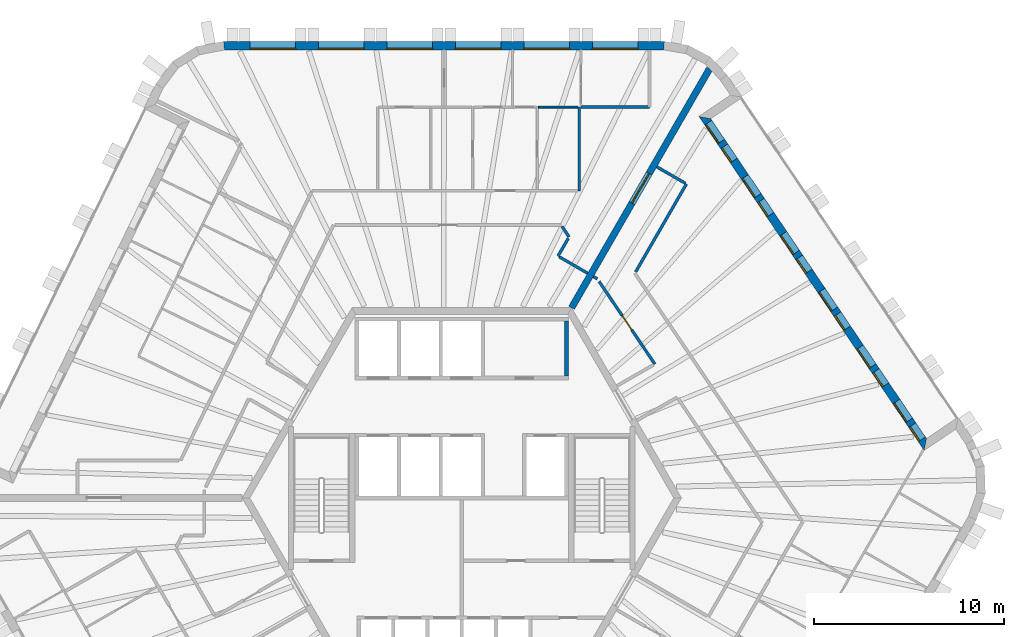
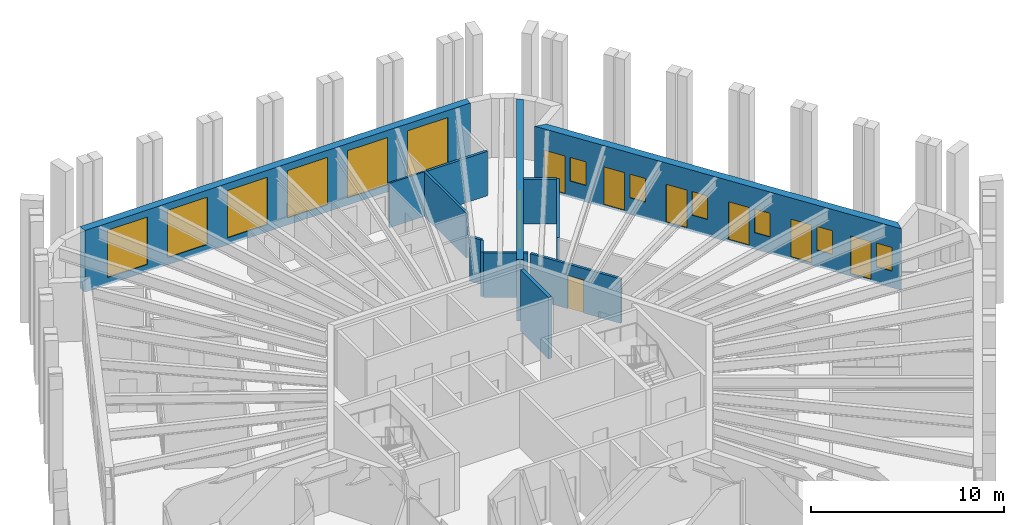
# One storey, part 9 of 12: 14 walls, 12 windows, 8 doors, 20 openings.
"""IFC4 building model written with IfcOpenShell, lengths in metres."""

from ifc_helpers import new_model, si_unit, direction, frame, frame_2d, origin, place, context, subcontext, project, spatial, polyline, rectangle, outline, extrude, material, layer, layer_set, type_object, element, fill, save


model = new_model("IFC4")

# Units and contexts
model_context = context("Model", 3, precision=1e-05, world=origin(), true_north=direction((0.0, 1.0)))
body_context = subcontext(model_context, "Body", "Model", "MODEL_VIEW")
ifc_project = project(units=[si_unit("LENGTHUNIT", "METRE"), si_unit("AREAUNIT", "SQUARE_METRE"), si_unit("VOLUMEUNIT", "CUBIC_METRE"), si_unit("PLANEANGLEUNIT", "RADIAN"), si_unit("MASSUNIT", "GRAM", prefix="KILO")], contexts=[model_context])

# Site, building, storey
site_placement = place(None, origin())
site = spatial("IfcSite", under=ifc_project, at=site_placement, CompositionType="ELEMENT")
building_placement = place(site_placement, origin())
building = spatial("IfcBuilding", under=site, at=building_placement, Name="Tarnside Tower", CompositionType="ELEMENT")
storey_placement = place(building_placement, frame((0.0, 0.0, 361.199951171875)))
storey = spatial("IfcBuildingStorey", under=building, at=storey_placement, Name="L87", CompositionType="ELEMENT", Elevation=361.199951171875)

# Wall
ifc_material_1 = material(Name="Gypsum board partition on steel studs", Category="steel")
ifc_layer_1 = layer(ifc_material_1, 0.10009765625)
ifc_layer_set_1 = layer_set([ifc_layer_1], Name="Bathroom wall 100")
wall_type_1 = type_object("IfcWallType", Name="Bathroom wall 100", PredefinedType="PARTITIONING", material=ifc_layer_set_1)
wall_1_placement = place(storey_placement, frame((6.1015625, 20.550048828125, 0.0), z_axis=(0.0, 0.0, 1.0), x_axis=(-1.0, 0.0, 0.0)))
element("IfcWall", 1, at=wall_1_placement, inside=storey, type_object=wall_type_1, Name="Bathroom wall 28083", PredefinedType="PARTITIONING", context=body_context, shape_type="SweptSolid", body=[
    extrude(rectangle(XDim=2.078857421875, YDim=0.10009765625, at=frame_2d((1.03955078125, 0.0))), origin(), (0.0, 0.0, 1.0), 2.820068359375),
])

# Wall, opening, door
ifc_material_2 = material(Name="Concrete C50/60", Category="concrete")
ifc_layer_2 = layer(ifc_material_2, 0.35009765625)
ifc_layer_set_2 = layer_set([ifc_layer_2], Name="Core wall Z4 350 C50/60")
wall_type_2 = type_object("IfcWallType", Name="Core wall Z4 350 C50/60", PredefinedType="SHEAR", material=ifc_layer_set_2)
wall_2_placement = place(storey_placement, frame((5.7734375, 10.0, -0.14990234375), z_axis=(0.0, 0.0, 1.0), x_axis=(0.500007911273, 0.866020836161, 0.0)))
wall_2 = element("IfcWall", 2, at=wall_2_placement, inside=storey, type_object=wall_type_2, Name="L87 spine wall 1", PredefinedType="SHEAR", context=body_context, shape_type="SweptSolid", body=[
    extrude(rectangle(XDim=14.510498046875, YDim=0.35009765625, at=frame_2d((7.25537109375, 0.0))), origin(), (0.0, 0.0, 1.0), 3.89990234375),
])
opening_1_placement = place(wall_2_placement, frame((6.355224609375, 0.0, 0.14990234375)))
opening_1 = element("IfcOpeningElement", 3, at=opening_1_placement, cuts=wall_2, Name="Opening CD-SPN", PredefinedType="OPENING", context=body_context, shape_type="SweptSolid", body=[
    extrude(rectangle(XDim=1.800048828125, YDim=2.39990234375, at=frame_2d((0.89990234375, 1.199951171875))), frame((0.0, 0.18505859375, 0.0), z_axis=(0.0, -1.0, 0.0), x_axis=(1.0, 0.0, 0.0)), (0.0, 0.0, 1.0), 0.3701171875),
])
ifc_material_3 = material(Name="Steel fire door", Category="steel")
door_type_1 = type_object("IfcDoorType", Name="Spine passage double door FD60 1800x2400", OperationType="NOTDEFINED", PredefinedType="DOOR", material=ifc_material_3)
door_1_placement = place(opening_1_placement, origin())
door_1 = element("IfcDoor", 4, at=door_1_placement, inside=storey, type_object=door_type_1, Name="L87 spine passage door 1", OperationType="DOUBLE_DOOR_SINGLE_SWING", OverallHeight=2.39990234375, OverallWidth=1.800048828125, PredefinedType="DOOR", context=body_context, shape_type="SweptSolid", body=[
    extrude(rectangle(XDim=1.800048828125, YDim=2.39990234375, at=frame_2d((0.89990234375, 1.199951171875))), frame((0.0, 0.02490234375, 0.0), z_axis=(0.0, -1.0, 0.0), x_axis=(1.0, 0.0, 0.0)), (0.0, 0.0, 1.0), 0.050048828125),
])
fill(opening_1, door_1)

# Walls
ifc_layer_3 = layer(ifc_material_1, 0.14990234375)
ifc_layer_set_3 = layer_set([ifc_layer_3], Name="Corridor wall 150 EI 60")
wall_type_3 = type_object("IfcWallType", Name="Corridor wall 150 EI 60", PredefinedType="PARTITIONING", material=ifc_layer_set_3)
wall_3_placement = place(storey_placement, frame((6.174560546875, 20.550048828125, 0.0), z_axis=(0.0, 0.0, 1.0), x_axis=(0.0, -1.0, 0.0)))
element("IfcWall", 5, at=wall_3_placement, inside=storey, type_object=wall_type_3, Name="Corridor wall 28004", PredefinedType="PARTITIONING", context=body_context, shape_type="SweptSolid", body=[
    extrude(rectangle(XDim=4.400146484375, YDim=0.14990234375, at=frame_2d((2.2001953125, 0.0))), origin(), (0.0, 0.0, 1.0), 2.820068359375),
])
wall_4_placement = place(storey_placement, frame((9.8671875, 20.550048828125, 0.0), z_axis=(0.0, 0.0, 1.0), x_axis=(-1.0, 0.0, 0.0)))
element("IfcWall", 6, at=wall_4_placement, inside=storey, type_object=wall_type_3, Name="Corridor wall 28006", PredefinedType="PARTITIONING", context=body_context, shape_type="SweptSolid", body=[
    extrude(rectangle(XDim=3.598876953125, YDim=0.14990234375, at=frame_2d((1.79931640625, 0.0))), origin(), (0.0, 0.0, 1.0), 2.820068359375),
])
wall_5_placement = place(storey_placement, frame((5.26806640625, 14.27490234375, 0.0), z_axis=(0.0, 0.0, 1.0), x_axis=(0.559416337009, -0.828886820915, 0.0)))
element("IfcWall", 7, at=wall_5_placement, inside=storey, type_object=wall_type_3, Name="Corridor wall 28023", PredefinedType="PARTITIONING", context=body_context, shape_type="SweptSolid", body=[
    extrude(rectangle(XDim=0.667724609375, YDim=0.14990234375, at=frame_2d((0.333984375, 0.0))), origin(), (0.0, 0.0, 1.0), 2.820068359375),
])
wall_6_placement = place(storey_placement, frame((5.599853515625, 13.649169921875, 0.0), z_axis=(0.0, 0.0, 1.0), x_axis=(-0.500126914667, -0.865952117167, 0.0)))
element("IfcWall", 8, at=wall_6_placement, inside=storey, type_object=wall_type_3, Name="Corridor wall 28024", PredefinedType="PARTITIONING", context=body_context, shape_type="SweptSolid", body=[
    extrude(rectangle(XDim=1.079833984375, YDim=0.14990234375, at=frame_2d((0.5400390625, 0.0))), origin(), (0.0, 0.0, 1.0), 2.820068359375),
])
wall_7_placement = place(storey_placement, frame((5.124755859375, 12.676513671875, 0.0), z_axis=(0.0, 0.0, 1.0), x_axis=(0.866013532718, -0.500020560727, 0.0)))
element("IfcWall", 9, at=wall_7_placement, inside=storey, type_object=wall_type_3, Name="Corridor wall 28025", PredefinedType="PARTITIONING", context=body_context, shape_type="SweptSolid", body=[
    extrude(rectangle(XDim=1.72509765625, YDim=0.14990234375, at=frame_2d((0.862548828125, 0.0))), origin(), (0.0, 0.0, 1.0), 2.820068359375),
])
wall_8_placement = place(storey_placement, frame((9.14208984375, 11.884765625, 0.0), z_axis=(0.0, 0.0, 1.0), x_axis=(0.500004822225, 0.866022619654, 0.0)))
element("IfcWall", 10, at=wall_8_placement, inside=storey, type_object=wall_type_3, Name="Corridor wall 28055", PredefinedType="PARTITIONING", context=body_context, shape_type="SweptSolid", body=[
    extrude(rectangle(XDim=5.3388671875, YDim=0.14990234375, at=frame_2d((2.66943359375, 0.0))), origin(), (0.0, 0.0, 1.0), 2.820068359375),
])
wall_9_placement = place(storey_placement, frame((11.74658203125, 16.545654296875, 0.0), z_axis=(0.0, 0.0, 1.0), x_axis=(-0.866013532718, 0.500020560727, 0.0)))
element("IfcWall", 11, at=wall_9_placement, inside=storey, type_object=wall_type_3, Name="Corridor wall 28056", PredefinedType="PARTITIONING", context=body_context, shape_type="SweptSolid", body=[
    extrude(rectangle(XDim=1.72509765625, YDim=0.14990234375, at=frame_2d((0.862548828125, 0.0))), origin(), (0.0, 0.0, 1.0), 2.820068359375),
])
wall_10_placement = place(storey_placement, frame((6.921875, 11.638916015625, 0.0), z_axis=(0.0, 0.0, 1.0), x_axis=(0.866254745882, -0.499602557277, 0.0)))
element("IfcWall", 12, at=wall_10_placement, inside=storey, type_object=wall_type_3, Name="Corridor wall 28068", PredefinedType="PARTITIONING", context=body_context, shape_type="SweptSolid", body=[
    extrude(rectangle(XDim=0.235107421875, YDim=0.14990234375, at=frame_2d((0.11767578125, 0.0))), origin(), (0.0, 0.0, 1.0), 2.820068359375),
])

# Wall, opening, door
wall_11_placement = place(storey_placement, frame((7.22119140625, 11.379638671875, 0.0), z_axis=(0.0, 0.0, 1.0), x_axis=(0.559200548931, -0.829032415576, 0.0)))
wall_11 = element("IfcWall", 13, at=wall_11_placement, inside=storey, type_object=wall_type_3, Name="Corridor wall 28069", PredefinedType="PARTITIONING", context=body_context, shape_type="SweptSolid", body=[
    extrude(rectangle(XDim=5.236083984375, YDim=0.14990234375, at=frame_2d((2.6181640625, 0.0))), origin(), (0.0, 0.0, 1.0), 2.820068359375),
])
opening_2_placement = place(wall_11_placement, frame((2.16796875, 0.0, 0.0)))
opening_2 = element("IfcOpeningElement", 14, at=opening_2_placement, cuts=wall_11, Name="Opening D-S1", PredefinedType="OPENING", context=body_context, shape_type="SweptSolid", body=[
    extrude(rectangle(XDim=0.89990234375, YDim=2.10009765625, at=frame_2d((0.449951171875, 1.050048828125))), frame((0.0, 0.0849609375, 0.0), z_axis=(0.0, -1.0, 0.0), x_axis=(1.0, 0.0, 0.0)), (0.0, 0.0, 1.0), 0.169921875),
])
ifc_material_4 = material(Name="Timber door leaf", Category="wood")
door_type_2 = type_object("IfcDoorType", Name="Service room door 900 FD30S", OperationType="NOTDEFINED", PredefinedType="DOOR", material=ifc_material_4)
door_2_placement = place(opening_2_placement, origin())
door_2 = element("IfcDoor", 15, at=door_2_placement, inside=storey, type_object=door_type_2, Name="Service door 28069", OperationType="SINGLE_SWING_RIGHT", OverallHeight=2.10009765625, OverallWidth=0.89990234375, PredefinedType="DOOR", context=body_context, shape_type="SweptSolid", body=[
    extrude(rectangle(XDim=0.89990234375, YDim=2.10009765625, at=frame_2d((0.449951171875, 1.050048828125))), frame((0.0, 0.02490234375, 0.0), z_axis=(0.0, -1.0, 0.0), x_axis=(1.0, 0.0, 0.0)), (0.0, 0.0, 1.0), 0.050048828125),
])
fill(opening_2, door_2)

# Wall
ifc_material_5 = material(Name="Concrete C40/50", Category="concrete")
ifc_layer_4 = layer(ifc_material_5, 0.199951171875)
ifc_layer_set_4 = layer_set([ifc_layer_4], Name="Lift shaft wall 200 C40/50")
wall_type_4 = type_object("IfcWallType", Name="Lift shaft wall 200 C40/50", PredefinedType="SHEAR", material=ifc_layer_set_4)
wall_12_placement = place(storey_placement, frame((5.5, 6.39990234375, -0.25), z_axis=(0.0, 0.0, 1.0), x_axis=(0.0, 1.0, 0.0)))
element("IfcWall", 16, at=wall_12_placement, inside=storey, type_object=wall_type_4, Name="L87 lift shaft partition R16", PredefinedType="SHEAR", context=body_context, shape_type="SweptSolid", body=[
    extrude(rectangle(XDim=2.900146484375, YDim=0.199951171875, at=frame_2d((1.4501953125, 0.0))), origin(), (0.0, 0.0, 1.0), 3.900146484375),
])

# Wall, openings, doors, windows
ifc_material_6 = material(Name="Dark zinc cladding")
ifc_layer_5 = layer(ifc_material_6, 0.10205078125)
ifc_material_7 = material(Name="Concrete C60/75 precast", Category="concrete")
ifc_layer_6 = layer(ifc_material_7, 0.248046875)
ifc_material_8 = material(Name="Mineral wool insulation")
ifc_layer_7 = layer(ifc_material_8, 0.10009765625)
ifc_layer_set_5 = layer_set([ifc_layer_5, ifc_layer_6, ifc_layer_7], Name="Loggia wall 450 zinc faced")
wall_type_5 = type_object("IfcWallType", Name="Loggia wall 450 zinc faced", PredefinedType="SOLIDWALL", material=ifc_layer_set_5)
wall_13_placement = place(storey_placement, frame((24.36962890625, 2.810546875, -0.14990234375), z_axis=(0.0, 0.0, 1.0), x_axis=(-0.559187034749, 0.829041531027, 0.0)))
wall_13 = element("IfcWall", 17, at=wall_13_placement, inside=storey, type_object=wall_type_5, Name="Tube wall L87 F6 back 30", PredefinedType="SOLIDWALL", context=body_context, shape_type="SweptSolid", body=[
    extrude(outline(polyline([(0.224853515625, -0.22509765625), (20.50634765625, -0.22509765625), (20.95654296875, 0.22509765625), (-0.224853515625, 0.22509765625), (0.224853515625, -0.22509765625)])), origin(), (0.0, 0.0, 1.0), 3.89990234375),
])
opening_3_placement = place(wall_13_placement, frame((0.324951171875, 0.0, 1.050048828125)))
opening_3 = element("IfcOpeningElement", 18, at=opening_3_placement, cuts=wall_13, Name="Opening WL450", PredefinedType="OPENING", context=body_context, shape_type="SweptSolid", body=[
    extrude(rectangle(XDim=0.89990234375, YDim=1.5, at=frame_2d((0.449951171875, 0.75))), frame((0.0, 0.23486328125, 0.0), z_axis=(0.0, -1.0, 0.0), x_axis=(1.0, 0.0, 0.0)), (0.0, 0.0, 1.0), 0.469970703125),
])
opening_4_placement = place(wall_13_placement, frame((1.52490234375, 0.0, 0.14990234375)))
opening_4 = element("IfcOpeningElement", 19, at=opening_4_placement, cuts=wall_13, Name="Opening DB450", PredefinedType="OPENING", context=body_context, shape_type="SweptSolid", body=[
    extrude(rectangle(XDim=1.199951171875, YDim=2.39990234375, at=frame_2d((0.60009765625, 1.199951171875))), frame((0.0, 0.23486328125, 0.0), z_axis=(0.0, -1.0, 0.0), x_axis=(1.0, 0.0, 0.0)), (0.0, 0.0, 1.0), 0.469970703125),
])
opening_5_placement = place(wall_13_placement, frame((3.765869140625, 0.0, 1.050048828125)))
opening_5 = element("IfcOpeningElement", 20, at=opening_5_placement, cuts=wall_13, Name="Opening WL450", PredefinedType="OPENING", context=body_context, shape_type="SweptSolid", body=[
    extrude(rectangle(XDim=0.89990234375, YDim=1.5, at=frame_2d((0.449951171875, 0.75))), frame((0.0, 0.23486328125, 0.0), z_axis=(0.0, -1.0, 0.0), x_axis=(1.0, 0.0, 0.0)), (0.0, 0.0, 1.0), 0.469970703125),
])
opening_6_placement = place(wall_13_placement, frame((4.9658203125, 0.0, 0.14990234375)))
opening_6 = element("IfcOpeningElement", 21, at=opening_6_placement, cuts=wall_13, Name="Opening DB450", PredefinedType="OPENING", context=body_context, shape_type="SweptSolid", body=[
    extrude(rectangle(XDim=1.199951171875, YDim=2.39990234375, at=frame_2d((0.60009765625, 1.199951171875))), frame((0.0, 0.23486328125, 0.0), z_axis=(0.0, -1.0, 0.0), x_axis=(1.0, 0.0, 0.0)), (0.0, 0.0, 1.0), 0.469970703125),
])
opening_7_placement = place(wall_13_placement, frame((7.36572265625, 0.0, 1.050048828125)))
opening_7 = element("IfcOpeningElement", 22, at=opening_7_placement, cuts=wall_13, Name="Opening WL450", PredefinedType="OPENING", context=body_context, shape_type="SweptSolid", body=[
    extrude(rectangle(XDim=0.89990234375, YDim=1.5, at=frame_2d((0.449951171875, 0.75))), frame((0.0, 0.23486328125, 0.0), z_axis=(0.0, -1.0, 0.0), x_axis=(1.0, 0.0, 0.0)), (0.0, 0.0, 1.0), 0.469970703125),
])
opening_8_placement = place(wall_13_placement, frame((8.56591796875, 0.0, 0.14990234375)))
opening_8 = element("IfcOpeningElement", 23, at=opening_8_placement, cuts=wall_13, Name="Opening DB450", PredefinedType="OPENING", context=body_context, shape_type="SweptSolid", body=[
    extrude(rectangle(XDim=1.199951171875, YDim=2.39990234375, at=frame_2d((0.60009765625, 1.199951171875))), frame((0.0, 0.23486328125, 0.0), z_axis=(0.0, -1.0, 0.0), x_axis=(1.0, 0.0, 0.0)), (0.0, 0.0, 1.0), 0.469970703125),
])
opening_9_placement = place(wall_13_placement, frame((10.9658203125, 0.0, 1.050048828125)))
opening_9 = element("IfcOpeningElement", 24, at=opening_9_placement, cuts=wall_13, Name="Opening WL450", PredefinedType="OPENING", context=body_context, shape_type="SweptSolid", body=[
    extrude(rectangle(XDim=0.89990234375, YDim=1.5, at=frame_2d((0.449951171875, 0.75))), frame((0.0, 0.23486328125, 0.0), z_axis=(0.0, -1.0, 0.0), x_axis=(1.0, 0.0, 0.0)), (0.0, 0.0, 1.0), 0.469970703125),
])
opening_10_placement = place(wall_13_placement, frame((12.165771484375, 0.0, 0.14990234375)))
opening_10 = element("IfcOpeningElement", 25, at=opening_10_placement, cuts=wall_13, Name="Opening DB450", PredefinedType="OPENING", context=body_context, shape_type="SweptSolid", body=[
    extrude(rectangle(XDim=1.199951171875, YDim=2.39990234375, at=frame_2d((0.60009765625, 1.199951171875))), frame((0.0, 0.23486328125, 0.0), z_axis=(0.0, -1.0, 0.0), x_axis=(1.0, 0.0, 0.0)), (0.0, 0.0, 1.0), 0.469970703125),
])
opening_11_placement = place(wall_13_placement, frame((14.56591796875, 0.0, 1.050048828125)))
opening_11 = element("IfcOpeningElement", 26, at=opening_11_placement, cuts=wall_13, Name="Opening WL450", PredefinedType="OPENING", context=body_context, shape_type="SweptSolid", body=[
    extrude(rectangle(XDim=0.89990234375, YDim=1.5, at=frame_2d((0.449951171875, 0.75))), frame((0.0, 0.23486328125, 0.0), z_axis=(0.0, -1.0, 0.0), x_axis=(1.0, 0.0, 0.0)), (0.0, 0.0, 1.0), 0.469970703125),
])
opening_12_placement = place(wall_13_placement, frame((15.765869140625, 0.0, 0.14990234375)))
opening_12 = element("IfcOpeningElement", 27, at=opening_12_placement, cuts=wall_13, Name="Opening DB450", PredefinedType="OPENING", context=body_context, shape_type="SweptSolid", body=[
    extrude(rectangle(XDim=1.199951171875, YDim=2.39990234375, at=frame_2d((0.60009765625, 1.199951171875))), frame((0.0, 0.23486328125, 0.0), z_axis=(0.0, -1.0, 0.0), x_axis=(1.0, 0.0, 0.0)), (0.0, 0.0, 1.0), 0.469970703125),
])
opening_13_placement = place(wall_13_placement, frame((18.006591796875, 0.0, 1.050048828125)))
opening_13 = element("IfcOpeningElement", 28, at=opening_13_placement, cuts=wall_13, Name="Opening WL450", PredefinedType="OPENING", context=body_context, shape_type="SweptSolid", body=[
    extrude(rectangle(XDim=0.89990234375, YDim=1.5, at=frame_2d((0.449951171875, 0.75))), frame((0.0, 0.23486328125, 0.0), z_axis=(0.0, -1.0, 0.0), x_axis=(1.0, 0.0, 0.0)), (0.0, 0.0, 1.0), 0.469970703125),
])
opening_14_placement = place(wall_13_placement, frame((19.20654296875, 0.0, 0.14990234375)))
opening_14 = element("IfcOpeningElement", 29, at=opening_14_placement, cuts=wall_13, Name="Opening DB450", PredefinedType="OPENING", context=body_context, shape_type="SweptSolid", body=[
    extrude(rectangle(XDim=1.199951171875, YDim=2.39990234375, at=frame_2d((0.60009765625, 1.199951171875))), frame((0.0, 0.23486328125, 0.0), z_axis=(0.0, -1.0, 0.0), x_axis=(1.0, 0.0, 0.0)), (0.0, 0.0, 1.0), 0.469970703125),
])
ifc_material_9 = material(Name="Aluminium-framed double glazing", Category="aluminium")
door_type_3 = type_object("IfcDoorType", Name="Balcony sliding door 1200 x 2400 in 450 wall", OperationType="SLIDING_TO_LEFT", PredefinedType="DOOR", material=ifc_material_9)
door_3_placement = place(opening_4_placement, frame((0.0, 0.150146484375, 0.0)))
door_3 = element("IfcDoor", 30, at=door_3_placement, inside=storey, type_object=door_type_3, Name="E.BD.L87.F6.00", OperationType="SLIDING_TO_LEFT", OverallHeight=2.39990234375, OverallWidth=1.199951171875, PredefinedType="DOOR", context=body_context, shape_type="SweptSolid", body=[
    extrude(rectangle(XDim=1.199951171875, YDim=2.39990234375, at=frame_2d((0.60009765625, 1.199951171875))), frame((0.0, 0.02490234375, 0.0), z_axis=(0.0, -1.0, 0.0), x_axis=(1.0, 0.0, 0.0)), (0.0, 0.0, 1.0), 0.050048828125),
])
fill(opening_4, door_3)
door_4_placement = place(opening_6_placement, frame((0.0, 0.150146484375, 0.0)))
door_4 = element("IfcDoor", 31, at=door_4_placement, inside=storey, type_object=door_type_3, Name="E.BD.L87.F6.01", OperationType="SLIDING_TO_LEFT", OverallHeight=2.39990234375, OverallWidth=1.199951171875, PredefinedType="DOOR", context=body_context, shape_type="SweptSolid", body=[
    extrude(rectangle(XDim=1.199951171875, YDim=2.39990234375, at=frame_2d((0.60009765625, 1.199951171875))), frame((0.0, 0.02490234375, 0.0), z_axis=(0.0, -1.0, 0.0), x_axis=(1.0, 0.0, 0.0)), (0.0, 0.0, 1.0), 0.050048828125),
])
fill(opening_6, door_4)
door_5_placement = place(opening_8_placement, frame((0.0, 0.150146484375, 0.0)))
door_5 = element("IfcDoor", 32, at=door_5_placement, inside=storey, type_object=door_type_3, Name="E.BD.L87.F6.02", OperationType="SLIDING_TO_LEFT", OverallHeight=2.39990234375, OverallWidth=1.199951171875, PredefinedType="DOOR", context=body_context, shape_type="SweptSolid", body=[
    extrude(rectangle(XDim=1.199951171875, YDim=2.39990234375, at=frame_2d((0.60009765625, 1.199951171875))), frame((0.0, 0.02490234375, 0.0), z_axis=(0.0, -1.0, 0.0), x_axis=(1.0, 0.0, 0.0)), (0.0, 0.0, 1.0), 0.050048828125),
])
fill(opening_8, door_5)
door_6_placement = place(opening_10_placement, frame((0.0, 0.150146484375, 0.0)))
door_6 = element("IfcDoor", 33, at=door_6_placement, inside=storey, type_object=door_type_3, Name="E.BD.L87.F6.03", OperationType="SLIDING_TO_LEFT", OverallHeight=2.39990234375, OverallWidth=1.199951171875, PredefinedType="DOOR", context=body_context, shape_type="SweptSolid", body=[
    extrude(rectangle(XDim=1.199951171875, YDim=2.39990234375, at=frame_2d((0.60009765625, 1.199951171875))), frame((0.0, 0.02490234375, 0.0), z_axis=(0.0, -1.0, 0.0), x_axis=(1.0, 0.0, 0.0)), (0.0, 0.0, 1.0), 0.050048828125),
])
fill(opening_10, door_6)
door_7_placement = place(opening_12_placement, frame((0.0, 0.150146484375, 0.0)))
door_7 = element("IfcDoor", 34, at=door_7_placement, inside=storey, type_object=door_type_3, Name="E.BD.L87.F6.04", OperationType="SLIDING_TO_LEFT", OverallHeight=2.39990234375, OverallWidth=1.199951171875, PredefinedType="DOOR", context=body_context, shape_type="SweptSolid", body=[
    extrude(rectangle(XDim=1.199951171875, YDim=2.39990234375, at=frame_2d((0.60009765625, 1.199951171875))), frame((0.0, 0.02490234375, 0.0), z_axis=(0.0, -1.0, 0.0), x_axis=(1.0, 0.0, 0.0)), (0.0, 0.0, 1.0), 0.050048828125),
])
fill(opening_12, door_7)
door_8_placement = place(opening_14_placement, frame((0.0, 0.150146484375, 0.0)))
door_8 = element("IfcDoor", 35, at=door_8_placement, inside=storey, type_object=door_type_3, Name="E.BD.L87.F6.05", OperationType="SLIDING_TO_LEFT", OverallHeight=2.39990234375, OverallWidth=1.199951171875, PredefinedType="DOOR", context=body_context, shape_type="SweptSolid", body=[
    extrude(rectangle(XDim=1.199951171875, YDim=2.39990234375, at=frame_2d((0.60009765625, 1.199951171875))), frame((0.0, 0.02490234375, 0.0), z_axis=(0.0, -1.0, 0.0), x_axis=(1.0, 0.0, 0.0)), (0.0, 0.0, 1.0), 0.050048828125),
])
fill(opening_14, door_8)
window_type_1 = type_object("IfcWindowType", Name="Loggia window 900 x 1500 in 450 wall", PartitioningType="SINGLE_PANEL", PredefinedType="WINDOW", material=ifc_material_9)
window_1_placement = place(opening_3_placement, frame((0.0, 0.1552734375, 0.0)))
window_1 = element("IfcWindow", 36, at=window_1_placement, inside=storey, type_object=window_type_1, Name="E.LW.L87.F6.00", OverallHeight=1.5, OverallWidth=0.89990234375, PartitioningType="SINGLE_PANEL", PredefinedType="WINDOW", context=body_context, shape_type="SweptSolid", body=[
    extrude(rectangle(XDim=0.89990234375, YDim=1.5, at=frame_2d((0.449951171875, 0.75))), frame((0.0, 0.030029296875, 0.0), z_axis=(0.0, -1.0, 0.0), x_axis=(1.0, 0.0, 0.0)), (0.0, 0.0, 1.0), 0.06005859375),
])
fill(opening_3, window_1)
window_2_placement = place(opening_5_placement, frame((0.0, 0.1552734375, 0.0)))
window_2 = element("IfcWindow", 37, at=window_2_placement, inside=storey, type_object=window_type_1, Name="E.LW.L87.F6.01", OverallHeight=1.5, OverallWidth=0.89990234375, PartitioningType="SINGLE_PANEL", PredefinedType="WINDOW", context=body_context, shape_type="SweptSolid", body=[
    extrude(rectangle(XDim=0.89990234375, YDim=1.5, at=frame_2d((0.449951171875, 0.75))), frame((0.0, 0.030029296875, 0.0), z_axis=(0.0, -1.0, 0.0), x_axis=(1.0, 0.0, 0.0)), (0.0, 0.0, 1.0), 0.06005859375),
])
fill(opening_5, window_2)
window_3_placement = place(opening_7_placement, frame((0.0, 0.1552734375, 0.0)))
window_3 = element("IfcWindow", 38, at=window_3_placement, inside=storey, type_object=window_type_1, Name="E.LW.L87.F6.02", OverallHeight=1.5, OverallWidth=0.89990234375, PartitioningType="SINGLE_PANEL", PredefinedType="WINDOW", context=body_context, shape_type="SweptSolid", body=[
    extrude(rectangle(XDim=0.89990234375, YDim=1.5, at=frame_2d((0.449951171875, 0.75))), frame((0.0, 0.030029296875, 0.0), z_axis=(0.0, -1.0, 0.0), x_axis=(1.0, 0.0, 0.0)), (0.0, 0.0, 1.0), 0.06005859375),
])
fill(opening_7, window_3)
window_4_placement = place(opening_9_placement, frame((0.0, 0.1552734375, 0.0)))
window_4 = element("IfcWindow", 39, at=window_4_placement, inside=storey, type_object=window_type_1, Name="E.LW.L87.F6.03", OverallHeight=1.5, OverallWidth=0.89990234375, PartitioningType="SINGLE_PANEL", PredefinedType="WINDOW", context=body_context, shape_type="SweptSolid", body=[
    extrude(rectangle(XDim=0.89990234375, YDim=1.5, at=frame_2d((0.449951171875, 0.75))), frame((0.0, 0.030029296875, 0.0), z_axis=(0.0, -1.0, 0.0), x_axis=(1.0, 0.0, 0.0)), (0.0, 0.0, 1.0), 0.06005859375),
])
fill(opening_9, window_4)
window_5_placement = place(opening_11_placement, frame((0.0, 0.1552734375, 0.0)))
window_5 = element("IfcWindow", 40, at=window_5_placement, inside=storey, type_object=window_type_1, Name="E.LW.L87.F6.04", OverallHeight=1.5, OverallWidth=0.89990234375, PartitioningType="SINGLE_PANEL", PredefinedType="WINDOW", context=body_context, shape_type="SweptSolid", body=[
    extrude(rectangle(XDim=0.89990234375, YDim=1.5, at=frame_2d((0.449951171875, 0.75))), frame((0.0, 0.030029296875, 0.0), z_axis=(0.0, -1.0, 0.0), x_axis=(1.0, 0.0, 0.0)), (0.0, 0.0, 1.0), 0.06005859375),
])
fill(opening_11, window_5)
window_6_placement = place(opening_13_placement, frame((0.0, 0.1552734375, 0.0)))
window_6 = element("IfcWindow", 41, at=window_6_placement, inside=storey, type_object=window_type_1, Name="E.LW.L87.F6.05", OverallHeight=1.5, OverallWidth=0.89990234375, PartitioningType="SINGLE_PANEL", PredefinedType="WINDOW", context=body_context, shape_type="SweptSolid", body=[
    extrude(rectangle(XDim=0.89990234375, YDim=1.5, at=frame_2d((0.449951171875, 0.75))), frame((0.0, 0.030029296875, 0.0), z_axis=(0.0, -1.0, 0.0), x_axis=(1.0, 0.0, 0.0)), (0.0, 0.0, 1.0), 0.06005859375),
])
fill(opening_13, window_6)

# Wall, openings, windows
ifc_material_10 = material(Name="Facing brick", Category="masonry")
ifc_layer_8 = layer(ifc_material_10, 0.10205078125)
ifc_layer_9 = layer(ifc_material_7, 0.248046875)
ifc_layer_10 = layer(ifc_material_8, 0.10009765625)
ifc_layer_set_6 = layer_set([ifc_layer_8, ifc_layer_9, ifc_layer_10], Name="Tube wall 450 brick faced")
wall_type_6 = type_object("IfcWallType", Name="Tube wall 450 brick faced", PredefinedType="SOLIDWALL", material=ifc_layer_set_6)
wall_14_placement = place(storey_placement, frame((10.63427734375, 23.77490234375, -0.14990234375), z_axis=(0.0, 0.0, 1.0), x_axis=(-1.0, 0.0, 0.0)))
wall_14 = element("IfcWall", 42, at=wall_14_placement, inside=storey, type_object=wall_type_6, Name="Tube wall L87 F1 flush 00", PredefinedType="SOLIDWALL", context=body_context, shape_type="SweptSolid", body=[
    extrude(outline(polyline([(-0.018310546875, -0.22509765625), (23.152587890625, -0.22509765625), (23.110595703125, 0.22509765625), (0.018310546875, 0.22509765625), (-0.018310546875, -0.22509765625)])), origin(), (0.0, 0.0, 1.0), 3.89990234375),
])
opening_15_placement = place(wall_14_placement, frame((1.36572265625, 0.0, 0.449951171875)))
opening_15 = element("IfcOpeningElement", 43, at=opening_15_placement, cuts=wall_14, Name="Opening WP", PredefinedType="OPENING", context=body_context, shape_type="SweptSolid", body=[
    extrude(rectangle(XDim=2.39990234375, YDim=3.0, at=frame_2d((1.199951171875, 1.5))), frame((0.0, 0.23486328125, 0.0), z_axis=(0.0, -1.0, 0.0), x_axis=(1.0, 0.0, 0.0)), (0.0, 0.0, 1.0), 0.469970703125),
])
opening_16_placement = place(wall_14_placement, frame((4.9658203125, 0.0, 0.449951171875)))
opening_16 = element("IfcOpeningElement", 44, at=opening_16_placement, cuts=wall_14, Name="Opening WP", PredefinedType="OPENING", context=body_context, shape_type="SweptSolid", body=[
    extrude(rectangle(XDim=2.39990234375, YDim=3.0, at=frame_2d((1.199951171875, 1.5))), frame((0.0, 0.23486328125, 0.0), z_axis=(0.0, -1.0, 0.0), x_axis=(1.0, 0.0, 0.0)), (0.0, 0.0, 1.0), 0.469970703125),
])
opening_17_placement = place(wall_14_placement, frame((8.56591796875, 0.0, 0.449951171875)))
opening_17 = element("IfcOpeningElement", 45, at=opening_17_placement, cuts=wall_14, Name="Opening WP", PredefinedType="OPENING", context=body_context, shape_type="SweptSolid", body=[
    extrude(rectangle(XDim=2.39990234375, YDim=3.0, at=frame_2d((1.199951171875, 1.5))), frame((0.0, 0.23486328125, 0.0), z_axis=(0.0, -1.0, 0.0), x_axis=(1.0, 0.0, 0.0)), (0.0, 0.0, 1.0), 0.469970703125),
])
opening_18_placement = place(wall_14_placement, frame((12.165771484375, 0.0, 0.449951171875)))
opening_18 = element("IfcOpeningElement", 46, at=opening_18_placement, cuts=wall_14, Name="Opening WP", PredefinedType="OPENING", context=body_context, shape_type="SweptSolid", body=[
    extrude(rectangle(XDim=2.39990234375, YDim=3.0, at=frame_2d((1.199951171875, 1.5))), frame((0.0, 0.23486328125, 0.0), z_axis=(0.0, -1.0, 0.0), x_axis=(1.0, 0.0, 0.0)), (0.0, 0.0, 1.0), 0.469970703125),
])
opening_19_placement = place(wall_14_placement, frame((15.765869140625, 0.0, 0.449951171875)))
opening_19 = element("IfcOpeningElement", 47, at=opening_19_placement, cuts=wall_14, Name="Opening WP", PredefinedType="OPENING", context=body_context, shape_type="SweptSolid", body=[
    extrude(rectangle(XDim=2.39990234375, YDim=3.0, at=frame_2d((1.199951171875, 1.5))), frame((0.0, 0.23486328125, 0.0), z_axis=(0.0, -1.0, 0.0), x_axis=(1.0, 0.0, 0.0)), (0.0, 0.0, 1.0), 0.469970703125),
])
opening_20_placement = place(wall_14_placement, frame((19.36572265625, 0.0, 0.449951171875)))
opening_20 = element("IfcOpeningElement", 48, at=opening_20_placement, cuts=wall_14, Name="Opening WP", PredefinedType="OPENING", context=body_context, shape_type="SweptSolid", body=[
    extrude(rectangle(XDim=2.39990234375, YDim=3.0, at=frame_2d((1.199951171875, 1.5))), frame((0.0, 0.23486328125, 0.0), z_axis=(0.0, -1.0, 0.0), x_axis=(1.0, 0.0, 0.0)), (0.0, 0.0, 1.0), 0.469970703125),
])
window_type_2 = type_object("IfcWindowType", Name="Penthouse window 2400 x 3000", PartitioningType="DOUBLE_PANEL_VERTICAL", PredefinedType="WINDOW", material=ifc_material_9)
window_7_placement = place(opening_15_placement, frame((0.0, 0.1552734375, 0.0)))
window_7 = element("IfcWindow", 49, at=window_7_placement, inside=storey, type_object=window_type_2, Name="E.WN.L87.F1.00", OverallHeight=3.0, OverallWidth=2.39990234375, PartitioningType="DOUBLE_PANEL_VERTICAL", PredefinedType="WINDOW", context=body_context, shape_type="SweptSolid", body=[
    extrude(rectangle(XDim=2.39990234375, YDim=3.0, at=frame_2d((1.199951171875, 1.5))), frame((0.0, 0.030029296875, 0.0), z_axis=(0.0, -1.0, 0.0), x_axis=(1.0, 0.0, 0.0)), (0.0, 0.0, 1.0), 0.06005859375),
])
fill(opening_15, window_7)
window_8_placement = place(opening_16_placement, frame((0.0, 0.1552734375, 0.0)))
window_8 = element("IfcWindow", 50, at=window_8_placement, inside=storey, type_object=window_type_2, Name="E.WN.L87.F1.01", OverallHeight=3.0, OverallWidth=2.39990234375, PartitioningType="DOUBLE_PANEL_VERTICAL", PredefinedType="WINDOW", context=body_context, shape_type="SweptSolid", body=[
    extrude(rectangle(XDim=2.39990234375, YDim=3.0, at=frame_2d((1.199951171875, 1.5))), frame((0.0, 0.030029296875, 0.0), z_axis=(0.0, -1.0, 0.0), x_axis=(1.0, 0.0, 0.0)), (0.0, 0.0, 1.0), 0.06005859375),
])
fill(opening_16, window_8)
window_9_placement = place(opening_17_placement, frame((0.0, 0.1552734375, 0.0)))
window_9 = element("IfcWindow", 51, at=window_9_placement, inside=storey, type_object=window_type_2, Name="E.WN.L87.F1.02", OverallHeight=3.0, OverallWidth=2.39990234375, PartitioningType="DOUBLE_PANEL_VERTICAL", PredefinedType="WINDOW", context=body_context, shape_type="SweptSolid", body=[
    extrude(rectangle(XDim=2.39990234375, YDim=3.0, at=frame_2d((1.199951171875, 1.5))), frame((0.0, 0.030029296875, 0.0), z_axis=(0.0, -1.0, 0.0), x_axis=(1.0, 0.0, 0.0)), (0.0, 0.0, 1.0), 0.06005859375),
])
fill(opening_17, window_9)
window_10_placement = place(opening_18_placement, frame((0.0, 0.1552734375, 0.0)))
window_10 = element("IfcWindow", 52, at=window_10_placement, inside=storey, type_object=window_type_2, Name="E.WN.L87.F1.03", OverallHeight=3.0, OverallWidth=2.39990234375, PartitioningType="DOUBLE_PANEL_VERTICAL", PredefinedType="WINDOW", context=body_context, shape_type="SweptSolid", body=[
    extrude(rectangle(XDim=2.39990234375, YDim=3.0, at=frame_2d((1.199951171875, 1.5))), frame((0.0, 0.030029296875, 0.0), z_axis=(0.0, -1.0, 0.0), x_axis=(1.0, 0.0, 0.0)), (0.0, 0.0, 1.0), 0.06005859375),
])
fill(opening_18, window_10)
window_11_placement = place(opening_19_placement, frame((0.0, 0.1552734375, 0.0)))
window_11 = element("IfcWindow", 53, at=window_11_placement, inside=storey, type_object=window_type_2, Name="E.WN.L87.F1.04", OverallHeight=3.0, OverallWidth=2.39990234375, PartitioningType="DOUBLE_PANEL_VERTICAL", PredefinedType="WINDOW", context=body_context, shape_type="SweptSolid", body=[
    extrude(rectangle(XDim=2.39990234375, YDim=3.0, at=frame_2d((1.199951171875, 1.5))), frame((0.0, 0.030029296875, 0.0), z_axis=(0.0, -1.0, 0.0), x_axis=(1.0, 0.0, 0.0)), (0.0, 0.0, 1.0), 0.06005859375),
])
fill(opening_19, window_11)
window_12_placement = place(opening_20_placement, frame((0.0, 0.1552734375, 0.0)))
window_12 = element("IfcWindow", 54, at=window_12_placement, inside=storey, type_object=window_type_2, Name="E.WN.L87.F1.05", OverallHeight=3.0, OverallWidth=2.39990234375, PartitioningType="DOUBLE_PANEL_VERTICAL", PredefinedType="WINDOW", context=body_context, shape_type="SweptSolid", body=[
    extrude(rectangle(XDim=2.39990234375, YDim=3.0, at=frame_2d((1.199951171875, 1.5))), frame((0.0, 0.030029296875, 0.0), z_axis=(0.0, -1.0, 0.0), x_axis=(1.0, 0.0, 0.0)), (0.0, 0.0, 1.0), 0.06005859375),
])
fill(opening_20, window_12)

save(model, "model.ifc")
